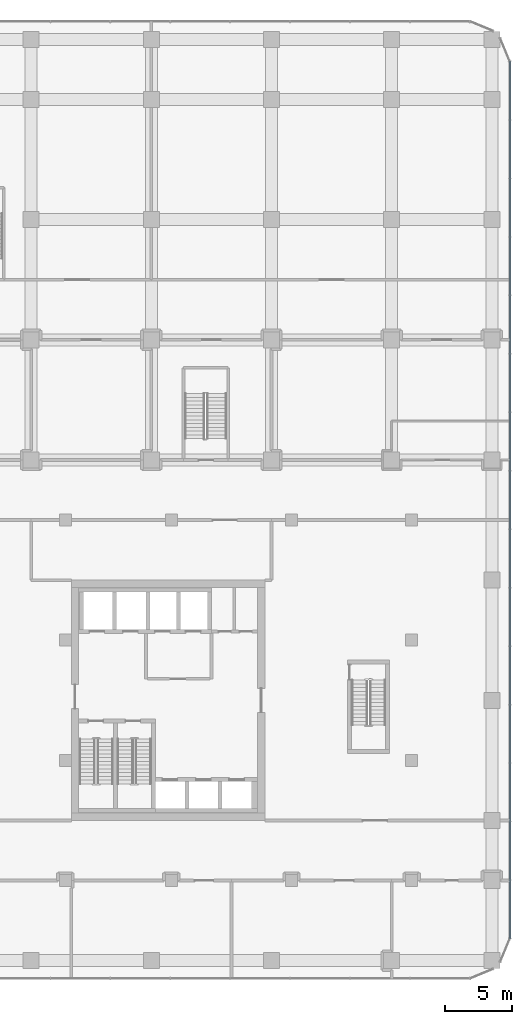
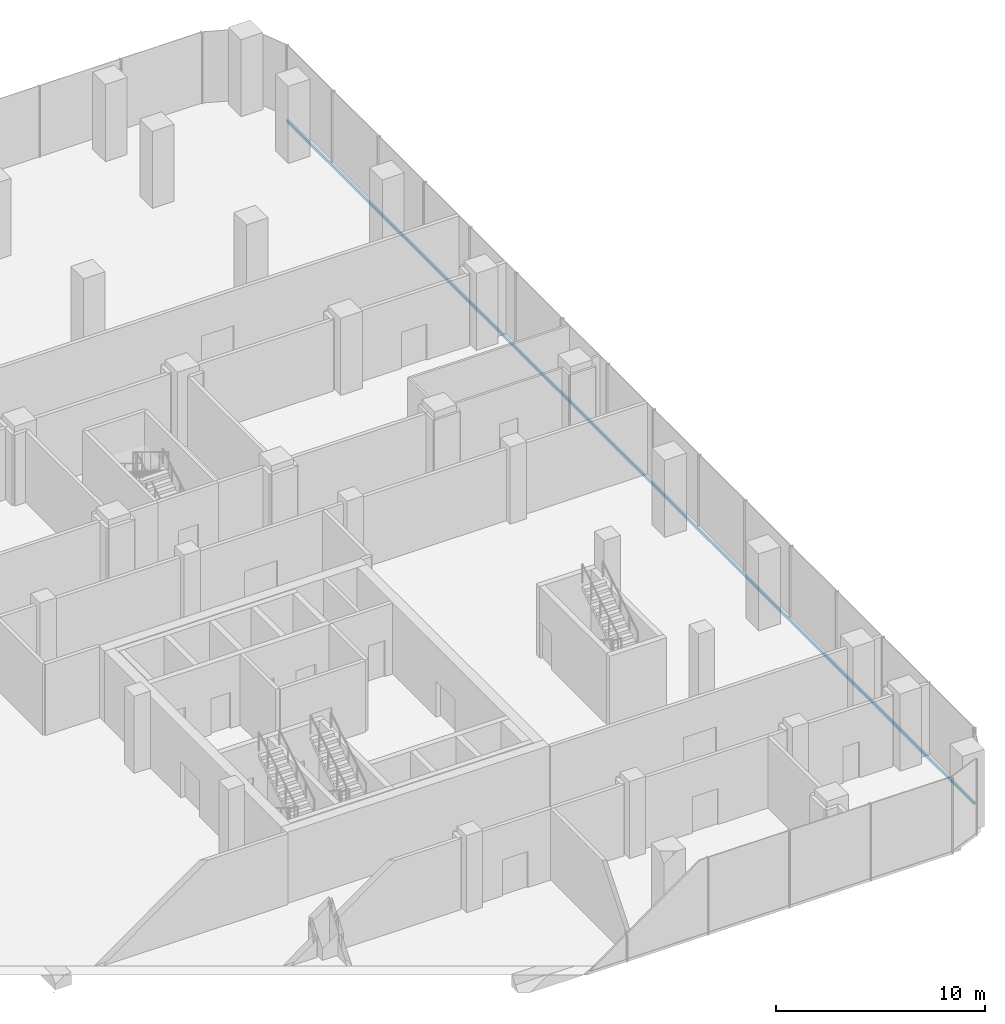
# One storey, part 19 of 43: 1 member, 1 element without a shape of its own.
"""IFC4 building model written with IfcOpenShell, lengths in metres."""

from ifc_helpers import new_model, si_unit, direction, frame, origin, origin_2d, place, context, subcontext, project, spatial, rectangle, extrude, material, layer, layer_set, material_profile, profile_set, type_object, element, aggregate, save


model = new_model("IFC4")

# Units and contexts
model_context = context("Model", 3, precision=1e-05, world=origin(), true_north=direction((0.0, 1.0)))
body_context = subcontext(model_context, "Body", "Model", "MODEL_VIEW")
ifc_project = project(units=[si_unit("LENGTHUNIT", "METRE"), si_unit("AREAUNIT", "SQUARE_METRE"), si_unit("VOLUMEUNIT", "CUBIC_METRE"), si_unit("PLANEANGLEUNIT", "RADIAN"), si_unit("MASSUNIT", "GRAM", prefix="KILO")], contexts=[model_context])

# Site, building, storey
site_placement = place(None, origin())
site = spatial("IfcSite", under=ifc_project, at=site_placement, CompositionType="ELEMENT")
building_placement = place(site_placement, origin())
building = spatial("IfcBuilding", under=site, at=building_placement, Name="Plateau Cross Towers", CompositionType="ELEMENT")
storey_placement = place(building_placement, frame((0.0, 0.0, 17.300048828125)))
storey = spatial("IfcBuildingStorey", under=building, at=storey_placement, Name="L03", CompositionType="ELEMENT", Elevation=17.300048828125)

# Curtain wall, member
ifc_material_1 = material(Name="Dark low-iron laminated glass", Category="glass")
ifc_layer = layer(ifc_material_1, 0.300048828125)
ifc_layer_set = layer_set([ifc_layer], Name="Dark low-iron laminated glass")
curtain_wall_type = type_object("IfcCurtainWallType", Name="Curtain wall structural silicone CW-C", PredefinedType="NOTDEFINED", material=ifc_layer_set)
curtain_wall_placement = place(storey_placement, origin())
curtain_wall = element("IfcCurtainWall", 1, at=curtain_wall_placement, inside=storey, type_object=curtain_wall_type, Name="ENV/P/L03/P1078_-88", PredefinedType="NOTDEFINED")
ifc_material_2 = material(Name="Black anodised aluminium", Category="aluminium")
ifc_material_profile = material_profile(ifc_material_2, rectangle(XDim=0.10009765625, YDim=0.14990234375, at=origin_2d()), Name="TRANSOM 100x150")
ifc_profile_set = profile_set([ifc_material_profile], Name="Black anodised aluminium")
member_type = type_object("IfcMemberType", Name="Transom 100x150 structural silicone", PredefinedType="USERDEFINED", material=ifc_profile_set)
member_placement = place(storey_placement, frame((107.85009765625, -8.85009765625, -0.275146484375), z_axis=(0.0, 1.0, 0.0), x_axis=(-1.0, 0.0, 0.0)))
member = element("IfcMember", 2, at=member_placement, type_object=member_type, Name="CW-C transom", ObjectType="TRANSOM", PredefinedType="USERDEFINED", context=body_context, shape_type="SweptSolid", body=[
    extrude(rectangle(XDim=0.10009765625, YDim=0.14990234375, at=origin_2d()), origin(), (0.0, 0.0, 1.0), 65.7001953125),
])
aggregate(curtain_wall, [member])

save(model, "model.ifc")
